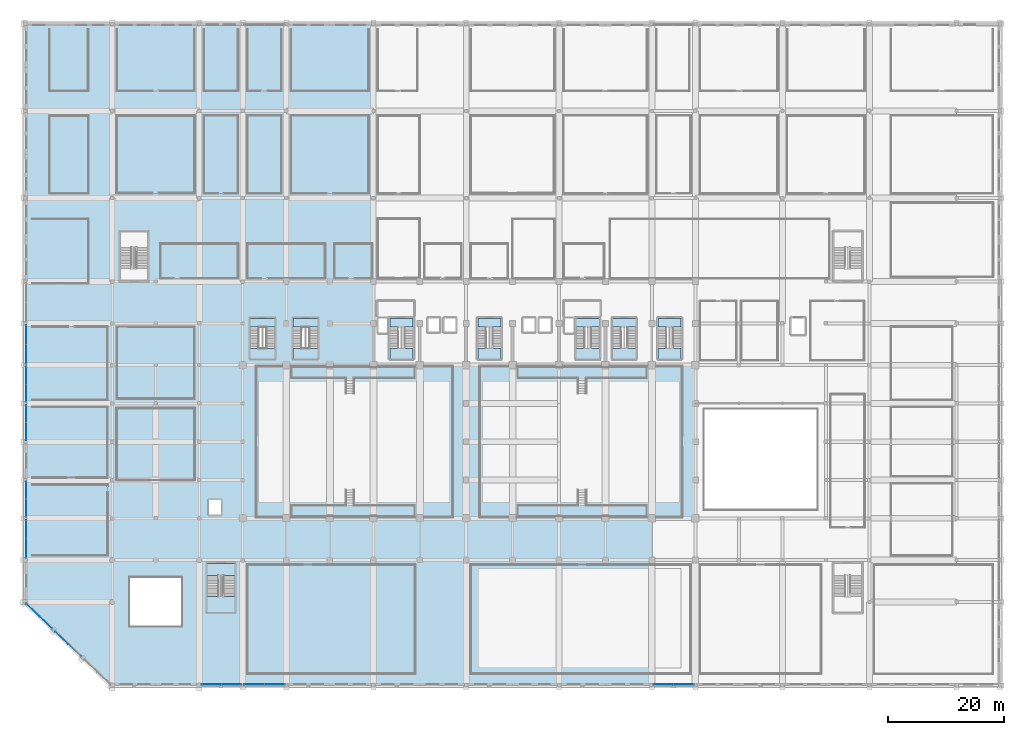
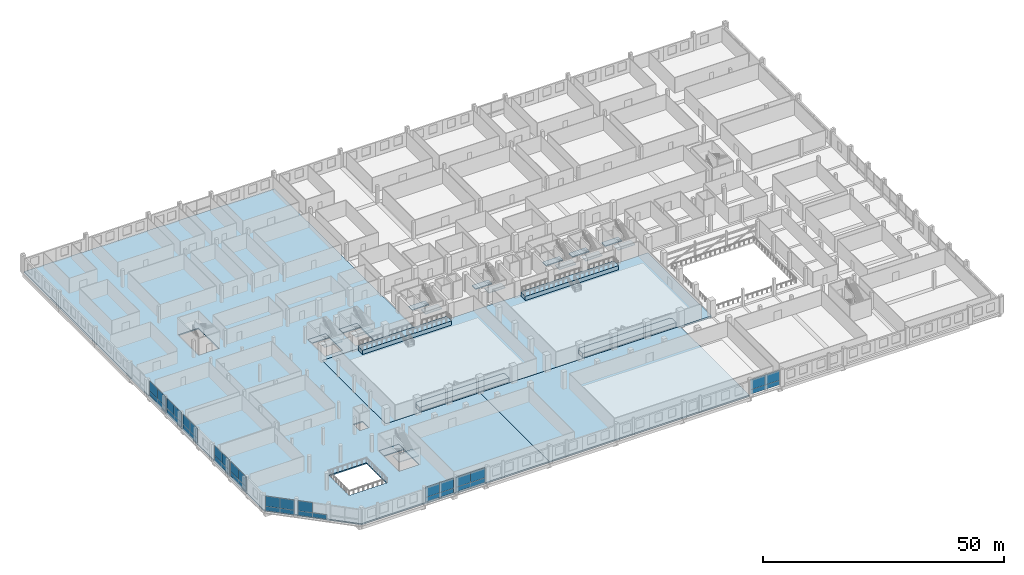
# One storey, part 39 of 68: 29 plates, 23 slabs, 18 elements without a shape of their own.
"""IFC4 building model written with IfcOpenShell, lengths in metres."""

from ifc_helpers import new_model, si_unit, direction, frame, origin, origin_2d, place, context, subcontext, project, spatial, polyline, rectangle, outline, extrude, material, layer, layer_set, type_object, element, aggregate, save


model = new_model("IFC4")

# Units and contexts
model_context = context("Model", 3, precision=1e-05, world=origin(), true_north=direction((0.0, 1.0)))
body_context = subcontext(model_context, "Body", "Model", "MODEL_VIEW")
ifc_project = project(units=[si_unit("LENGTHUNIT", "METRE"), si_unit("AREAUNIT", "SQUARE_METRE"), si_unit("VOLUMEUNIT", "CUBIC_METRE"), si_unit("PLANEANGLEUNIT", "RADIAN"), si_unit("MASSUNIT", "GRAM", prefix="KILO")], contexts=[model_context])

# Site, building, storey
site_placement = place(None, origin())
site = spatial("IfcSite", under=ifc_project, at=site_placement, CompositionType="ELEMENT")
building_placement = place(site_placement, origin())
building = spatial("IfcBuilding", under=site, at=building_placement, Name="Akrevak Sports Hall", CompositionType="ELEMENT")
storey_placement = place(building_placement, frame((0.0, 0.0, 9.39990234375)))
storey = spatial("IfcBuildingStorey", under=building, at=storey_placement, Name="L02", CompositionType="ELEMENT", Elevation=9.39990234375)

# Curtain wall, plate
ifc_material_1 = material(Name="Anodized Bronze Aluminium & Low-E Glass", Category="aluminium")
curtain_wall_type_1 = type_object("IfcCurtainWallType", Name="ARC-CW-POD-64x44", PredefinedType="NOTDEFINED", material=ifc_material_1)
curtain_wall_1_placement = place(storey_placement, origin())
curtain_wall_1 = element("IfcCurtainWall", 1, at=curtain_wall_1_placement, inside=storey, type_object=curtain_wall_type_1, Name="Curtain Wall CW-L02-CH2", PredefinedType="NOTDEFINED")
ifc_material_2 = material(Name="Double Low-E Tempered Glass", Category="glass")
ifc_layer_1 = layer(ifc_material_2, 0.035888671875, Name="Double Low-E Tempered Glass")
ifc_layer_set_1 = layer_set([ifc_layer_1], Name="Double Low-E Tempered Glass")
plate_type_1 = type_object("IfcPlateType", Name="ARC-CWP-GLZ-36", PredefinedType="CURTAIN_PANEL", material=ifc_layer_set_1)
plate_1_placement = place(storey_placement, frame((6.304931640625, 8.180908203125, 1.14990234375), z_axis=(0.0, 0.0, 1.0), x_axis=(-0.721397723859, 0.692520991747, 0.0)))
plate_1 = element("IfcPlate", 2, at=plate_1_placement, type_object=plate_type_1, Name="Vision Glass Panel CW-L02-CH2-G2", PredefinedType="CURTAIN_PANEL", context=body_context, shape_type="SweptSolid", body=[
    extrude(rectangle(XDim=3.0830078125, YDim=0.035888671875, at=origin_2d()), origin(), (0.0, 0.0, 1.0), 2.590087890625),
])

# Curtain wall, plates
curtain_wall_2_placement = place(storey_placement, origin())
curtain_wall_2 = element("IfcCurtainWall", 3, at=curtain_wall_2_placement, inside=storey, type_object=curtain_wall_type_1, Name="Curtain Wall CW-L02-CH3", PredefinedType="NOTDEFINED")
plate_2_placement = place(storey_placement, frame((3.529052734375, 10.845947265625, 1.14990234375), z_axis=(0.0, 0.0, 1.0), x_axis=(-0.721397723859, 0.692520991747, 0.0)))
plate_2 = element("IfcPlate", 4, at=plate_2_placement, type_object=plate_type_1, Name="Vision Glass Panel CW-L02-CH3-G1", PredefinedType="CURTAIN_PANEL", context=body_context, shape_type="SweptSolid", body=[
    extrude(rectangle(XDim=3.0830078125, YDim=0.035888671875, at=origin_2d()), origin(), (0.0, 0.0, 1.0), 2.590087890625),
])
plate_3_placement = place(storey_placement, frame((1.304931640625, 12.98095703125, 1.14990234375), z_axis=(0.0, 0.0, 1.0), x_axis=(-0.721397723859, 0.692520991747, 0.0)))
plate_3 = element("IfcPlate", 5, at=plate_3_placement, type_object=plate_type_1, Name="Vision Glass Panel CW-L02-CH3-G2", PredefinedType="CURTAIN_PANEL", context=body_context, shape_type="SweptSolid", body=[
    extrude(rectangle(XDim=3.0830078125, YDim=0.035888671875, at=origin_2d()), origin(), (0.0, 0.0, 1.0), 2.590087890625),
])

curtain_wall_type_2 = type_object("IfcCurtainWallType", Name="ARC-CW-POD-70x42", PredefinedType="NOTDEFINED", material=ifc_material_1)
curtain_wall_3_placement = place(storey_placement, origin())
curtain_wall_3 = element("IfcCurtainWall", 6, at=curtain_wall_3_placement, inside=storey, type_object=curtain_wall_type_2, Name="Curtain Wall CW-L02-S03", PredefinedType="NOTDEFINED")
plate_4_placement = place(storey_placement, frame((32.143798828125, 0.179931640625, 1.14990234375), z_axis=(0.0, 0.0, 1.0), x_axis=(1.0, 0.0, 0.0)))
plate_4 = element("IfcPlate", 7, at=plate_4_placement, type_object=plate_type_1, Name="Vision Glass Panel CW-L02-S03-G1", PredefinedType="CURTAIN_PANEL", context=body_context, shape_type="SweptSolid", body=[
    extrude(rectangle(XDim=3.387451171875, YDim=0.035888671875, at=origin_2d()), origin(), (0.0, 0.0, 1.0), 2.590087890625),
])
plate_5_placement = place(storey_placement, frame((35.53125, 0.179931640625, 1.14990234375), z_axis=(0.0, 0.0, 1.0), x_axis=(1.0, 0.0, 0.0)))
plate_5 = element("IfcPlate", 8, at=plate_5_placement, type_object=plate_type_1, Name="Vision Glass Panel CW-L02-S03-G2", PredefinedType="CURTAIN_PANEL", context=body_context, shape_type="SweptSolid", body=[
    extrude(rectangle(XDim=3.387451171875, YDim=0.035888671875, at=origin_2d()), origin(), (0.0, 0.0, 1.0), 2.590087890625),
])

curtain_wall_4_placement = place(storey_placement, origin())
curtain_wall_4 = element("IfcCurtainWall", 9, at=curtain_wall_4_placement, inside=storey, type_object=curtain_wall_type_2, Name="Curtain Wall CW-L02-S04", PredefinedType="NOTDEFINED")
plate_6_placement = place(storey_placement, frame((39.512451171875, 0.179931640625, 1.14990234375), z_axis=(0.0, 0.0, 1.0), x_axis=(1.0, 0.0, 0.0)))
plate_6 = element("IfcPlate", 10, at=plate_6_placement, type_object=plate_type_1, Name="Vision Glass Panel CW-L02-S04-G1", PredefinedType="CURTAIN_PANEL", context=body_context, shape_type="SweptSolid", body=[
    extrude(rectangle(XDim=3.47509765625, YDim=0.035888671875, at=origin_2d()), origin(), (0.0, 0.0, 1.0), 2.590087890625),
])
plate_7_placement = place(storey_placement, frame((42.987548828125, 0.179931640625, 1.14990234375), z_axis=(0.0, 0.0, 1.0), x_axis=(1.0, 0.0, 0.0)))
plate_7 = element("IfcPlate", 11, at=plate_7_placement, type_object=plate_type_1, Name="Vision Glass Panel CW-L02-S04-G2", PredefinedType="CURTAIN_PANEL", context=body_context, shape_type="SweptSolid", body=[
    extrude(rectangle(XDim=3.47509765625, YDim=0.035888671875, at=origin_2d()), origin(), (0.0, 0.0, 1.0), 2.590087890625),
])

curtain_wall_5_placement = place(storey_placement, origin())
curtain_wall_5 = element("IfcCurtainWall", 12, at=curtain_wall_5_placement, inside=storey, type_object=curtain_wall_type_2, Name="Curtain Wall CW-L02-S13", PredefinedType="NOTDEFINED")
plate_8_placement = place(storey_placement, frame((110.03125, 0.179931640625, 1.14990234375), z_axis=(0.0, 0.0, 1.0), x_axis=(1.0, 0.0, 0.0)))
plate_8 = element("IfcPlate", 13, at=plate_8_placement, type_object=plate_type_1, Name="Vision Glass Panel CW-L02-S13-G1", PredefinedType="CURTAIN_PANEL", context=body_context, shape_type="SweptSolid", body=[
    extrude(rectangle(XDim=3.46240234375, YDim=0.035888671875, at=origin_2d()), origin(), (0.0, 0.0, 1.0), 2.590087890625),
])
plate_9_placement = place(storey_placement, frame((113.49365234375, 0.179931640625, 1.14990234375), z_axis=(0.0, 0.0, 1.0), x_axis=(1.0, 0.0, 0.0)))
plate_9 = element("IfcPlate", 14, at=plate_9_placement, type_object=plate_type_1, Name="Vision Glass Panel CW-L02-S13-G2", PredefinedType="CURTAIN_PANEL", context=body_context, shape_type="SweptSolid", body=[
    extrude(rectangle(XDim=3.46240234375, YDim=0.035888671875, at=origin_2d()), origin(), (0.0, 0.0, 1.0), 2.590087890625),
])

curtain_wall_type_3 = type_object("IfcCurtainWallType", Name="ARC-CW-POD-64x42", PredefinedType="NOTDEFINED", material=ifc_material_1)
curtain_wall_6_placement = place(storey_placement, origin())
curtain_wall_6 = element("IfcCurtainWall", 15, at=curtain_wall_6_placement, inside=storey, type_object=curtain_wall_type_3, Name="Curtain Wall CW-L02-W02", PredefinedType="NOTDEFINED")
plate_10_placement = place(storey_placement, frame((0.179931640625, 26.887451171875, 1.14990234375), z_axis=(0.0, 0.0, 1.0), x_axis=(0.0, -1.0, 0.0)))
plate_10 = element("IfcPlate", 16, at=plate_10_placement, type_object=plate_type_1, Name="Vision Glass Panel CW-L02-W02-G1", PredefinedType="CURTAIN_PANEL", context=body_context, shape_type="SweptSolid", body=[
    extrude(rectangle(XDim=3.22509765625, YDim=0.035888671875, at=origin_2d()), origin(), (0.0, 0.0, 1.0), 2.590087890625),
])
plate_11_placement = place(storey_placement, frame((0.179931640625, 23.66259765625, 1.14990234375), z_axis=(0.0, 0.0, 1.0), x_axis=(0.0, -1.0, 0.0)))
plate_11 = element("IfcPlate", 17, at=plate_11_placement, type_object=plate_type_1, Name="Vision Glass Panel CW-L02-W02-G2", PredefinedType="CURTAIN_PANEL", context=body_context, shape_type="SweptSolid", body=[
    extrude(rectangle(XDim=3.22509765625, YDim=0.035888671875, at=origin_2d()), origin(), (0.0, 0.0, 1.0), 2.590087890625),
])

curtain_wall_7_placement = place(storey_placement, origin())
curtain_wall_7 = element("IfcCurtainWall", 18, at=curtain_wall_7_placement, inside=storey, type_object=curtain_wall_type_3, Name="Curtain Wall CW-L02-W03", PredefinedType="NOTDEFINED")
plate_12_placement = place(storey_placement, frame((0.179931640625, 33.61865234375, 1.14990234375), z_axis=(0.0, 0.0, 1.0), x_axis=(0.0, -1.0, 0.0)))
plate_12 = element("IfcPlate", 19, at=plate_12_placement, type_object=plate_type_1, Name="Vision Glass Panel CW-L02-W03-G1", PredefinedType="CURTAIN_PANEL", context=body_context, shape_type="SweptSolid", body=[
    extrude(rectangle(XDim=3.012451171875, YDim=0.035888671875, at=origin_2d()), origin(), (0.0, 0.0, 1.0), 2.590087890625),
])
plate_13_placement = place(storey_placement, frame((0.179931640625, 30.606201171875, 1.14990234375), z_axis=(0.0, 0.0, 1.0), x_axis=(0.0, -1.0, 0.0)))
plate_13 = element("IfcPlate", 20, at=plate_13_placement, type_object=plate_type_1, Name="Vision Glass Panel CW-L02-W03-G2", PredefinedType="CURTAIN_PANEL", context=body_context, shape_type="SweptSolid", body=[
    extrude(rectangle(XDim=3.012451171875, YDim=0.035888671875, at=origin_2d()), origin(), (0.0, 0.0, 1.0), 2.590087890625),
])

curtain_wall_8_placement = place(storey_placement, origin())
curtain_wall_8 = element("IfcCurtainWall", 21, at=curtain_wall_8_placement, inside=storey, type_object=curtain_wall_type_3, Name="Curtain Wall CW-L02-W05", PredefinedType="NOTDEFINED")
plate_14_placement = place(storey_placement, frame((0.179931640625, 46.800048828125, 1.14990234375), z_axis=(0.0, 0.0, 1.0), x_axis=(0.0, -1.0, 0.0)))
plate_14 = element("IfcPlate", 22, at=plate_14_placement, type_object=plate_type_1, Name="Vision Glass Panel CW-L02-W05-G1", PredefinedType="CURTAIN_PANEL", context=body_context, shape_type="SweptSolid", body=[
    extrude(rectangle(XDim=3.0, YDim=0.035888671875, at=origin_2d()), origin(), (0.0, 0.0, 1.0), 2.590087890625),
])
plate_15_placement = place(storey_placement, frame((0.179931640625, 43.800048828125, 1.14990234375), z_axis=(0.0, 0.0, 1.0), x_axis=(0.0, -1.0, 0.0)))
plate_15 = element("IfcPlate", 23, at=plate_15_placement, type_object=plate_type_1, Name="Vision Glass Panel CW-L02-W05-G2", PredefinedType="CURTAIN_PANEL", context=body_context, shape_type="SweptSolid", body=[
    extrude(rectangle(XDim=3.0, YDim=0.035888671875, at=origin_2d()), origin(), (0.0, 0.0, 1.0), 2.590087890625),
])

curtain_wall_9_placement = place(storey_placement, origin())
curtain_wall_9 = element("IfcCurtainWall", 24, at=curtain_wall_9_placement, inside=storey, type_object=curtain_wall_type_3, Name="Curtain Wall CW-L02-W06", PredefinedType="NOTDEFINED")
plate_16_placement = place(storey_placement, frame((0.179931640625, 53.418701171875, 1.14990234375), z_axis=(0.0, 0.0, 1.0), x_axis=(0.0, -1.0, 0.0)))
plate_16 = element("IfcPlate", 25, at=plate_16_placement, type_object=plate_type_1, Name="Vision Glass Panel CW-L02-W06-G1", PredefinedType="CURTAIN_PANEL", context=body_context, shape_type="SweptSolid", body=[
    extrude(rectangle(XDim=3.012451171875, YDim=0.035888671875, at=origin_2d()), origin(), (0.0, 0.0, 1.0), 2.590087890625),
])
plate_17_placement = place(storey_placement, frame((0.179931640625, 50.40625, 1.14990234375), z_axis=(0.0, 0.0, 1.0), x_axis=(0.0, -1.0, 0.0)))
plate_17 = element("IfcPlate", 26, at=plate_17_placement, type_object=plate_type_1, Name="Vision Glass Panel CW-L02-W06-G2", PredefinedType="CURTAIN_PANEL", context=body_context, shape_type="SweptSolid", body=[
    extrude(rectangle(XDim=3.012451171875, YDim=0.035888671875, at=origin_2d()), origin(), (0.0, 0.0, 1.0), 2.590087890625),
])

curtain_wall_10_placement = place(storey_placement, origin())
curtain_wall_10 = element("IfcCurtainWall", 27, at=curtain_wall_10_placement, inside=storey, type_object=curtain_wall_type_3, Name="Curtain Wall CW-L02-W07", PredefinedType="NOTDEFINED")
plate_18_placement = place(storey_placement, frame((0.179931640625, 60.44384765625, 1.14990234375), z_axis=(0.0, 0.0, 1.0), x_axis=(0.0, -1.0, 0.0)))
plate_18 = element("IfcPlate", 28, at=plate_18_placement, type_object=plate_type_1, Name="Vision Glass Panel CW-L02-W07-G1", PredefinedType="CURTAIN_PANEL", context=body_context, shape_type="SweptSolid", body=[
    extrude(rectangle(XDim=3.3125, YDim=0.035888671875, at=origin_2d()), origin(), (0.0, 0.0, 1.0), 2.590087890625),
])
plate_19_placement = place(storey_placement, frame((0.179931640625, 57.13134765625, 1.14990234375), z_axis=(0.0, 0.0, 1.0), x_axis=(0.0, -1.0, 0.0)))
plate_19 = element("IfcPlate", 29, at=plate_19_placement, type_object=plate_type_1, Name="Vision Glass Panel CW-L02-W07-G2", PredefinedType="CURTAIN_PANEL", context=body_context, shape_type="SweptSolid", body=[
    extrude(rectangle(XDim=3.3125, YDim=0.035888671875, at=origin_2d()), origin(), (0.0, 0.0, 1.0), 2.590087890625),
])

# Plate
ifc_material_3 = material(Name="Insulated Bronze Spandrel Panel", Category="aluminium")
ifc_layer_2 = layer(ifc_material_3, 0.0439453125, Name="Insulated Bronze Spandrel Panel")
ifc_layer_set_2 = layer_set([ifc_layer_2], Name="Insulated Bronze Spandrel Panel")
plate_type_2 = type_object("IfcPlateType", Name="ARC-CWP-SPD-44", PredefinedType="CURTAIN_PANEL", material=ifc_layer_set_2)
plate_20_placement = place(storey_placement, frame((7.4169921875, 7.11328125, 0.000244140625), z_axis=(0.0, 0.0, 1.0), x_axis=(-0.721397723859, 0.692520991747, 0.0)))
plate_20 = element("IfcPlate", 30, at=plate_20_placement, type_object=plate_type_2, Name="Insulated Spandrel Panel CW-L02-CH2-S1", PredefinedType="CURTAIN_PANEL", context=body_context, shape_type="SweptSolid", body=[
    extrude(rectangle(XDim=6.166015625, YDim=0.0439453125, at=origin_2d()), origin(), (0.0, 0.0, 1.0), 1.14990234375),
])

aggregate(curtain_wall_1, [plate_1, plate_20])

plate_21_placement = place(storey_placement, frame((2.4169921875, 11.913330078125, 0.000244140625), z_axis=(0.0, 0.0, 1.0), x_axis=(-0.721397723859, 0.692520991747, 0.0)))
plate_21 = element("IfcPlate", 31, at=plate_21_placement, type_object=plate_type_2, Name="Insulated Spandrel Panel CW-L02-CH3-S1", PredefinedType="CURTAIN_PANEL", context=body_context, shape_type="SweptSolid", body=[
    extrude(rectangle(XDim=6.166015625, YDim=0.0439453125, at=origin_2d()), origin(), (0.0, 0.0, 1.0), 1.14990234375),
])

aggregate(curtain_wall_2, [plate_2, plate_3, plate_21])

plate_22_placement = place(storey_placement, frame((33.83740234375, 0.179931640625, 0.000244140625), z_axis=(0.0, 0.0, 1.0), x_axis=(1.0, 0.0, 0.0)))
plate_22 = element("IfcPlate", 32, at=plate_22_placement, type_object=plate_type_2, Name="Insulated Spandrel Panel CW-L02-S03-S1", PredefinedType="CURTAIN_PANEL", context=body_context, shape_type="SweptSolid", body=[
    extrude(rectangle(XDim=6.77490234375, YDim=0.0439453125, at=origin_2d()), origin(), (0.0, 0.0, 1.0), 1.14990234375),
])

aggregate(curtain_wall_3, [plate_4, plate_5, plate_22])

plate_23_placement = place(storey_placement, frame((41.25, 0.179931640625, 0.000244140625), z_axis=(0.0, 0.0, 1.0), x_axis=(1.0, 0.0, 0.0)))
plate_23 = element("IfcPlate", 33, at=plate_23_placement, type_object=plate_type_2, Name="Insulated Spandrel Panel CW-L02-S04-S1", PredefinedType="CURTAIN_PANEL", context=body_context, shape_type="SweptSolid", body=[
    extrude(rectangle(XDim=6.949951171875, YDim=0.0439453125, at=origin_2d()), origin(), (0.0, 0.0, 1.0), 1.14990234375),
])

aggregate(curtain_wall_4, [plate_6, plate_7, plate_23])

plate_24_placement = place(storey_placement, frame((111.762451171875, 0.179931640625, 0.000244140625), z_axis=(0.0, 0.0, 1.0), x_axis=(1.0, 0.0, 0.0)))
plate_24 = element("IfcPlate", 34, at=plate_24_placement, type_object=plate_type_2, Name="Insulated Spandrel Panel CW-L02-S13-S1", PredefinedType="CURTAIN_PANEL", context=body_context, shape_type="SweptSolid", body=[
    extrude(rectangle(XDim=6.925048828125, YDim=0.0439453125, at=origin_2d()), origin(), (0.0, 0.0, 1.0), 1.14990234375),
])

aggregate(curtain_wall_5, [plate_8, plate_9, plate_24])

plate_25_placement = place(storey_placement, frame((0.179931640625, 25.27490234375, 0.000244140625), z_axis=(0.0, 0.0, 1.0), x_axis=(0.0, -1.0, 0.0)))
plate_25 = element("IfcPlate", 35, at=plate_25_placement, type_object=plate_type_2, Name="Insulated Spandrel Panel CW-L02-W02-S1", PredefinedType="CURTAIN_PANEL", context=body_context, shape_type="SweptSolid", body=[
    extrude(rectangle(XDim=6.449951171875, YDim=0.0439453125, at=origin_2d()), origin(), (0.0, 0.0, 1.0), 1.14990234375),
])

aggregate(curtain_wall_6, [plate_10, plate_11, plate_25])

plate_26_placement = place(storey_placement, frame((0.179931640625, 32.112548828125, 0.000244140625), z_axis=(0.0, 0.0, 1.0), x_axis=(0.0, -1.0, 0.0)))
plate_26 = element("IfcPlate", 36, at=plate_26_placement, type_object=plate_type_2, Name="Insulated Spandrel Panel CW-L02-W03-S1", PredefinedType="CURTAIN_PANEL", context=body_context, shape_type="SweptSolid", body=[
    extrude(rectangle(XDim=6.02490234375, YDim=0.0439453125, at=origin_2d()), origin(), (0.0, 0.0, 1.0), 1.14990234375),
])

aggregate(curtain_wall_7, [plate_12, plate_13, plate_26])

plate_27_placement = place(storey_placement, frame((0.179931640625, 45.300048828125, 0.000244140625), z_axis=(0.0, 0.0, 1.0), x_axis=(0.0, -1.0, 0.0)))
plate_27 = element("IfcPlate", 37, at=plate_27_placement, type_object=plate_type_2, Name="Insulated Spandrel Panel CW-L02-W05-S1", PredefinedType="CURTAIN_PANEL", context=body_context, shape_type="SweptSolid", body=[
    extrude(rectangle(XDim=6.0, YDim=0.0439453125, at=origin_2d()), origin(), (0.0, 0.0, 1.0), 1.14990234375),
])

aggregate(curtain_wall_8, [plate_14, plate_15, plate_27])

plate_28_placement = place(storey_placement, frame((0.179931640625, 51.91259765625, 0.000244140625), z_axis=(0.0, 0.0, 1.0), x_axis=(0.0, -1.0, 0.0)))
plate_28 = element("IfcPlate", 38, at=plate_28_placement, type_object=plate_type_2, Name="Insulated Spandrel Panel CW-L02-W06-S1", PredefinedType="CURTAIN_PANEL", context=body_context, shape_type="SweptSolid", body=[
    extrude(rectangle(XDim=6.02490234375, YDim=0.0439453125, at=origin_2d()), origin(), (0.0, 0.0, 1.0), 1.14990234375),
])

aggregate(curtain_wall_9, [plate_16, plate_17, plate_28])

plate_29_placement = place(storey_placement, frame((0.179931640625, 58.78759765625, 0.000244140625), z_axis=(0.0, 0.0, 1.0), x_axis=(0.0, -1.0, 0.0)))
plate_29 = element("IfcPlate", 39, at=plate_29_placement, type_object=plate_type_2, Name="Insulated Spandrel Panel CW-L02-W07-S1", PredefinedType="CURTAIN_PANEL", context=body_context, shape_type="SweptSolid", body=[
    extrude(rectangle(XDim=6.625, YDim=0.0439453125, at=origin_2d()), origin(), (0.0, 0.0, 1.0), 1.14990234375),
])

aggregate(curtain_wall_10, [plate_18, plate_19, plate_29])

# Slabs
ifc_material_4 = material(Name="Concrete C50/60", Category="concrete")
ifc_layer_3 = layer(ifc_material_4, 0.449951171875, Name="Concrete C50/60")
ifc_layer_set_3 = layer_set([ifc_layer_3], Name="Concrete C50/60")
slab_type_1 = type_object("IfcSlabType", Name="PT-Transfer-Slab-450", PredefinedType="FLOOR", material=ifc_layer_set_3)
slab_1_placement = place(storey_placement, frame((0.0, 0.0, -0.449951171875)))
element("IfcSlab", 40, at=slab_1_placement, inside=storey, type_object=slab_type_1, Name="Post-Tensioned Transfer Slab L02 Over Handball Court", PredefinedType="FLOOR", context=body_context, shape_type="SweptSolid", body=[
    extrude(outline(polyline([(115.5, 28.800048828125), (115.5, 55.199951171875), (37.5, 55.199951171875), (37.5, 28.800048828125), (115.5, 28.800048828125)])), origin(), (0.0, 0.0, 1.0), 0.449951171875),
])
ifc_material_5 = material(Name="Concrete C40/50", Category="concrete")
ifc_layer_4 = layer(ifc_material_5, 0.320068359375, Name="Concrete C40/50")
ifc_layer_set_4 = layer_set([ifc_layer_4], Name="Concrete C40/50")
slab_type_2 = type_object("IfcSlabType", Name="STR-SLB-FLR-320", PredefinedType="FLOOR", material=ifc_layer_set_4)
slab_2_placement = place(storey_placement, frame((0.0, 0.0, -0.31982421875)))
element("IfcSlab", 41, at=slab_2_placement, inside=storey, type_object=slab_type_2, Name="Podium Floor Slab L02 Sector 1.1", PredefinedType="FLOOR", context=body_context, shape_type="SweptSolid", body=[
    extrude(outline(polyline([(0.0, 114.0), (0.0, 14.39990234375), (15.0, 0.0), (60.0, 0.0), (60.0, 28.800048828125), (37.5, 28.800048828125), (37.5, 55.199951171875), (60.0, 55.199951171875), (60.0, 114.0), (0.0, 114.0)]), holes=[polyline([(27.0, 18.60009765625), (27.0, 10.199951171875), (18.0, 10.199951171875), (18.0, 18.60009765625), (27.0, 18.60009765625)]), polyline([(36.14990234375, 21.050048828125), (36.14990234375, 12.60009765625), (31.35009765625, 12.60009765625), (31.35009765625, 21.050048828125), (36.14990234375, 21.050048828125)]), polyline([(33.780029296875, 31.97998046875), (33.780029296875, 29.419921875), (31.6201171875, 29.419921875), (31.6201171875, 31.97998046875), (33.780029296875, 31.97998046875)]), polyline([(43.050048828125, 56.300048828125), (38.75, 56.300048828125), (38.75, 63.25), (43.050048828125, 63.25), (43.050048828125, 56.300048828125)]), polyline([(50.449951171875, 56.300048828125), (46.14990234375, 56.300048828125), (46.14990234375, 63.25), (50.449951171875, 63.25), (50.449951171875, 56.300048828125)]), polyline([(21.14990234375, 78.199951171875), (21.14990234375, 69.75), (16.35009765625, 69.75), (16.35009765625, 78.199951171875), (21.14990234375, 78.199951171875)])]), origin(), (0.0, 0.0, 1.0), 0.31982421875),
])
slab_3_placement = place(storey_placement, frame((0.0, 0.0, -0.31982421875)))
element("IfcSlab", 42, at=slab_3_placement, inside=storey, type_object=slab_type_2, Name="Podium Floor Slab L02 Sector 2.2", PredefinedType="FLOOR", context=body_context, shape_type="SweptSolid", body=[
    extrude(outline(polyline([(108.0, 0.0), (108.0, 28.800048828125), (60.0, 28.800048828125), (60.0, 0.0), (108.0, 0.0)])), origin(), (0.0, 0.0, 1.0), 0.31982421875),
])

# Stair, slab
stair_type_1 = type_object("IfcStairType", Name="ARC-STR-DOG-460", PredefinedType="HALF_TURN_STAIR", material=ifc_material_5)
stair_1_placement = place(storey_placement, origin())
stair_1 = element("IfcStair", 43, at=stair_1_placement, inside=storey, type_object=stair_type_1, Name="Protected Exit Stair ST1 (L02 to L03)", PredefinedType="HALF_TURN_STAIR")
ifc_layer_5 = layer(ifc_material_5, 0.199951171875, Name="Concrete C40/50")
ifc_layer_set_5 = layer_set([ifc_layer_5], Name="Concrete C40/50")
slab_type_3 = type_object("IfcSlabType", Name="STR-SLB-LAND-200", PredefinedType="LANDING", material=ifc_layer_set_5)
slab_4_placement = place(storey_placement, frame((0.0, 0.0, 2.10009765625)))
slab_4 = element("IfcSlab", 44, at=slab_4_placement, type_object=slab_type_3, Name="Stair ST1 Half-Landing 1 (L02)", PredefinedType="LANDING", context=body_context, shape_type="SweptSolid", body=[
    extrude(outline(polyline([(62.85009765625, 56.300048828125), (66.85009765625, 56.300048828125), (66.85009765625, 58.094970703125), (62.85009765625, 58.094970703125), (62.85009765625, 56.300048828125)])), origin(), (0.0, 0.0, 1.0), 0.199951171875),
])
aggregate(stair_1, [slab_4])

stair_2_placement = place(storey_placement, origin())
stair_2 = element("IfcStair", 45, at=stair_2_placement, inside=storey, type_object=stair_type_1, Name="Protected Exit Stair ST2 (L02 to L03)", PredefinedType="HALF_TURN_STAIR")
slab_5_placement = place(storey_placement, frame((0.0, 0.0, 2.10009765625)))
slab_5 = element("IfcSlab", 46, at=slab_5_placement, type_object=slab_type_3, Name="Stair ST2 Half-Landing 1 (L02)", PredefinedType="LANDING", context=body_context, shape_type="SweptSolid", body=[
    extrude(outline(polyline([(94.949951171875, 56.300048828125), (98.949951171875, 56.300048828125), (98.949951171875, 58.094970703125), (94.949951171875, 58.094970703125), (94.949951171875, 56.300048828125)])), origin(), (0.0, 0.0, 1.0), 0.199951171875),
])
aggregate(stair_2, [slab_5])

stair_3_placement = place(storey_placement, origin())
stair_3 = element("IfcStair", 47, at=stair_3_placement, inside=storey, type_object=stair_type_1, Name="Protected Exit Stair ST3 (L02 to L03)", PredefinedType="HALF_TURN_STAIR")
slab_6_placement = place(storey_placement, frame((0.0, 0.0, 2.10009765625)))
slab_6 = element("IfcSlab", 48, at=slab_6_placement, type_object=slab_type_3, Name="Stair ST3 Half-Landing 1 (L02)", PredefinedType="LANDING", context=body_context, shape_type="SweptSolid", body=[
    extrude(outline(polyline([(78.0, 56.300048828125), (82.0, 56.300048828125), (82.0, 58.094970703125), (78.0, 58.094970703125), (78.0, 56.300048828125)])), origin(), (0.0, 0.0, 1.0), 0.199951171875),
])
aggregate(stair_3, [slab_6])

stair_type_2 = type_object("IfcStairType", Name="ARC-STR-MDOG-460", PredefinedType="HALF_TURN_STAIR", material=ifc_material_5)
stair_4_placement = place(storey_placement, origin())
stair_4 = element("IfcStair", 49, at=stair_4_placement, inside=storey, type_object=stair_type_2, Name="Protected Exit Stair ST4 (L02 to L03)", PredefinedType="HALF_TURN_STAIR")
slab_7_placement = place(storey_placement, frame((0.0, 0.0, 2.10009765625)))
slab_7 = element("IfcSlab", 50, at=slab_7_placement, type_object=slab_type_3, Name="Stair ST4 Half-Landing 1 (L02)", PredefinedType="LANDING", context=body_context, shape_type="SweptSolid", body=[
    extrude(outline(polyline([(46.14990234375, 56.300048828125), (50.449951171875, 56.300048828125), (50.449951171875, 58.094970703125), (46.14990234375, 58.094970703125), (46.14990234375, 56.300048828125)])), origin(), (0.0, 0.0, 1.0), 0.199951171875),
])
aggregate(stair_4, [slab_7])

stair_type_3 = type_object("IfcStairType", Name="ARC-STR-PDOG-460", PredefinedType="HALF_TURN_STAIR", material=ifc_material_5)
stair_5_placement = place(storey_placement, origin())
stair_5 = element("IfcStair", 51, at=stair_5_placement, inside=storey, type_object=stair_type_3, Name="Podium SW Exit Stair ST5 (L02 to L03)", PredefinedType="HALF_TURN_STAIR")
slab_8_placement = place(storey_placement, frame((0.0, 0.0, 2.10009765625)))
slab_8 = element("IfcSlab", 52, at=slab_8_placement, type_object=slab_type_3, Name="Stair ST5 Half-Landing 1 (L02)", PredefinedType="LANDING", context=body_context, shape_type="SweptSolid", body=[
    extrude(outline(polyline([(31.35009765625, 12.60009765625), (36.14990234375, 12.60009765625), (36.14990234375, 15.31005859375), (31.35009765625, 15.31005859375), (31.35009765625, 12.60009765625)])), origin(), (0.0, 0.0, 1.0), 0.199951171875),
])
aggregate(stair_5, [slab_8])

stair_6_placement = place(storey_placement, origin())
stair_6 = element("IfcStair", 53, at=stair_6_placement, inside=storey, type_object=stair_type_2, Name="Transfer West Exit Stair ST9 (L02 to L03)", PredefinedType="HALF_TURN_STAIR")
slab_9_placement = place(storey_placement, frame((0.0, 0.0, 2.10009765625)))
slab_9 = element("IfcSlab", 54, at=slab_9_placement, type_object=slab_type_3, Name="Stair ST9 Half-Landing 1 (L02)", PredefinedType="LANDING", context=body_context, shape_type="SweptSolid", body=[
    extrude(outline(polyline([(38.75, 56.300048828125), (43.050048828125, 56.300048828125), (43.050048828125, 58.094970703125), (38.75, 58.094970703125), (38.75, 56.300048828125)])), origin(), (0.0, 0.0, 1.0), 0.199951171875),
])
aggregate(stair_6, [slab_9])

stair_7_placement = place(storey_placement, origin())
stair_7 = element("IfcStair", 55, at=stair_7_placement, inside=storey, type_object=stair_type_1, Name="East Wing Exit Stair ST10 (L02 to L03)", PredefinedType="HALF_TURN_STAIR")
slab_10_placement = place(storey_placement, frame((0.0, 0.0, 2.10009765625)))
slab_10 = element("IfcSlab", 56, at=slab_10_placement, type_object=slab_type_3, Name="Stair ST10 Half-Landing 1 (L02)", PredefinedType="LANDING", context=body_context, shape_type="SweptSolid", body=[
    extrude(outline(polyline([(101.25, 56.300048828125), (105.25, 56.300048828125), (105.25, 58.094970703125), (101.25, 58.094970703125), (101.25, 56.300048828125)])), origin(), (0.0, 0.0, 1.0), 0.199951171875),
])
aggregate(stair_7, [slab_10])

stair_8_placement = place(storey_placement, origin())
stair_8 = element("IfcStair", 57, at=stair_8_placement, inside=storey, type_object=stair_type_1, Name="East Transfer Exit Stair ST11 (L02 to L03)", PredefinedType="HALF_TURN_STAIR")
slab_11_placement = place(storey_placement, frame((0.0, 0.0, 2.10009765625)))
slab_11 = element("IfcSlab", 58, at=slab_11_placement, type_object=slab_type_3, Name="Stair ST11 Half-Landing 1 (L02)", PredefinedType="LANDING", context=body_context, shape_type="SweptSolid", body=[
    extrude(outline(polyline([(109.050048828125, 56.300048828125), (113.050048828125, 56.300048828125), (113.050048828125, 58.094970703125), (109.050048828125, 58.094970703125), (109.050048828125, 56.300048828125)])), origin(), (0.0, 0.0, 1.0), 0.199951171875),
])
aggregate(stair_8, [slab_11])

# Slabs
ifc_layer_6 = layer(ifc_material_5, 0.219970703125, Name="Concrete C40/50")
ifc_layer_set_6 = layer_set([ifc_layer_6], Name="Concrete C40/50")
slab_type_4 = type_object("IfcSlabType", Name="STR-SLB-LAND-220", PredefinedType="LANDING", material=ifc_layer_set_6)
slab_12_placement = place(storey_placement, frame((0.0, 0.0, -0.219970703125)))
element("IfcSlab", 59, at=slab_12_placement, inside=storey, type_object=slab_type_4, Name="Stair ST1 Floor Landing (L02)", PredefinedType="LANDING", context=body_context, shape_type="SweptSolid", body=[
    extrude(outline(polyline([(62.85009765625, 61.735107421875), (66.85009765625, 61.735107421875), (66.85009765625, 63.25), (62.85009765625, 63.25), (62.85009765625, 61.735107421875)])), origin(), (0.0, 0.0, 1.0), 0.219970703125),
])
slab_13_placement = place(storey_placement, frame((0.0, 0.0, -0.219970703125)))
element("IfcSlab", 60, at=slab_13_placement, inside=storey, type_object=slab_type_4, Name="Stair ST2 Floor Landing (L02)", PredefinedType="LANDING", context=body_context, shape_type="SweptSolid", body=[
    extrude(outline(polyline([(94.949951171875, 61.735107421875), (98.949951171875, 61.735107421875), (98.949951171875, 63.25), (94.949951171875, 63.25), (94.949951171875, 61.735107421875)])), origin(), (0.0, 0.0, 1.0), 0.219970703125),
])
slab_14_placement = place(storey_placement, frame((0.0, 0.0, -0.219970703125)))
element("IfcSlab", 61, at=slab_14_placement, inside=storey, type_object=slab_type_4, Name="Stair ST3 Floor Landing (L02)", PredefinedType="LANDING", context=body_context, shape_type="SweptSolid", body=[
    extrude(outline(polyline([(78.0, 61.735107421875), (82.0, 61.735107421875), (82.0, 63.25), (78.0, 63.25), (78.0, 61.735107421875)])), origin(), (0.0, 0.0, 1.0), 0.219970703125),
])
slab_15_placement = place(storey_placement, frame((0.0, 0.0, -0.219970703125)))
element("IfcSlab", 62, at=slab_15_placement, inside=storey, type_object=slab_type_4, Name="Stair ST4 Floor Landing (L02)", PredefinedType="LANDING", context=body_context, shape_type="SweptSolid", body=[
    extrude(outline(polyline([(46.14990234375, 61.735107421875), (50.449951171875, 61.735107421875), (50.449951171875, 63.25), (46.14990234375, 63.25), (46.14990234375, 61.735107421875)])), origin(), (0.0, 0.0, 1.0), 0.219970703125),
])
slab_16_placement = place(storey_placement, frame((0.0, 0.0, -0.219970703125)))
element("IfcSlab", 63, at=slab_16_placement, inside=storey, type_object=slab_type_4, Name="Stair ST5 Floor Landing (L02)", PredefinedType="LANDING", context=body_context, shape_type="SweptSolid", body=[
    extrude(outline(polyline([(31.35009765625, 18.949951171875), (36.14990234375, 18.949951171875), (36.14990234375, 21.050048828125), (31.35009765625, 21.050048828125), (31.35009765625, 18.949951171875)])), origin(), (0.0, 0.0, 1.0), 0.219970703125),
])
slab_17_placement = place(storey_placement, frame((0.0, 0.0, -0.219970703125)))
element("IfcSlab", 64, at=slab_17_placement, inside=storey, type_object=slab_type_4, Name="Stair ST9 Floor Landing (L02)", PredefinedType="LANDING", context=body_context, shape_type="SweptSolid", body=[
    extrude(outline(polyline([(38.75, 61.735107421875), (43.050048828125, 61.735107421875), (43.050048828125, 63.25), (38.75, 63.25), (38.75, 61.735107421875)])), origin(), (0.0, 0.0, 1.0), 0.219970703125),
])
slab_18_placement = place(storey_placement, frame((0.0, 0.0, -0.219970703125)))
element("IfcSlab", 65, at=slab_18_placement, inside=storey, type_object=slab_type_4, Name="Stair ST10 Floor Landing (L02)", PredefinedType="LANDING", context=body_context, shape_type="SweptSolid", body=[
    extrude(outline(polyline([(101.25, 61.735107421875), (105.25, 61.735107421875), (105.25, 63.25), (101.25, 63.25), (101.25, 61.735107421875)])), origin(), (0.0, 0.0, 1.0), 0.219970703125),
])
slab_19_placement = place(storey_placement, frame((0.0, 0.0, -0.219970703125)))
element("IfcSlab", 66, at=slab_19_placement, inside=storey, type_object=slab_type_4, Name="Stair ST11 Floor Landing (L02)", PredefinedType="LANDING", context=body_context, shape_type="SweptSolid", body=[
    extrude(outline(polyline([(109.050048828125, 61.735107421875), (113.050048828125, 61.735107421875), (113.050048828125, 63.25), (109.050048828125, 63.25), (109.050048828125, 61.735107421875)])), origin(), (0.0, 0.0, 1.0), 0.219970703125),
])
ifc_layer_7 = layer(ifc_material_5, 0.175048828125, Name="Concrete C40/50")
ifc_layer_set_7 = layer_set([ifc_layer_7], Name="Concrete C40/50")
slab_type_5 = type_object("IfcSlabType", Name="STR-SLB-TIER-175", PredefinedType="USERDEFINED", material=ifc_layer_set_7)
slab_20_placement = place(storey_placement, origin())
element("IfcSlab", 67, at=slab_20_placement, inside=storey, type_object=slab_type_5, Name="Stand Basketball Court South", ObjectType="SEATING TIER", PredefinedType="USERDEFINED", context=body_context, shape_type="SweptSolid", body=[
    extrude(outline(polyline([(45.800048828125, 29.10009765625), (67.199951171875, 29.10009765625), (67.199951171875, 30.75), (66.85009765625, 31.10009765625), (46.14990234375, 31.10009765625), (45.800048828125, 30.75), (45.800048828125, 29.10009765625)])), origin(), (0.0, 0.0, 1.0), 1.050048828125),
])
slab_21_placement = place(storey_placement, origin())
element("IfcSlab", 68, at=slab_21_placement, inside=storey, type_object=slab_type_5, Name="Stand Basketball Court North", ObjectType="SEATING TIER", PredefinedType="USERDEFINED", context=body_context, shape_type="SweptSolid", body=[
    extrude(outline(polyline([(45.800048828125, 52.89990234375), (67.199951171875, 52.89990234375), (67.199951171875, 54.550048828125), (66.85009765625, 54.89990234375), (46.14990234375, 54.89990234375), (45.800048828125, 54.550048828125), (45.800048828125, 52.89990234375)])), origin(), (0.0, 0.0, 1.0), 1.050048828125),
])
slab_22_placement = place(storey_placement, origin())
element("IfcSlab", 69, at=slab_22_placement, inside=storey, type_object=slab_type_5, Name="Stand Volleyball Court South", ObjectType="SEATING TIER", PredefinedType="USERDEFINED", context=body_context, shape_type="SweptSolid", body=[
    extrude(outline(polyline([(84.800048828125, 29.10009765625), (107.199951171875, 29.10009765625), (107.199951171875, 30.75), (106.85009765625, 31.10009765625), (85.14990234375, 31.10009765625), (84.800048828125, 30.75), (84.800048828125, 29.10009765625)])), origin(), (0.0, 0.0, 1.0), 1.050048828125),
])
slab_23_placement = place(storey_placement, origin())
element("IfcSlab", 70, at=slab_23_placement, inside=storey, type_object=slab_type_5, Name="Stand Volleyball Court North", ObjectType="SEATING TIER", PredefinedType="USERDEFINED", context=body_context, shape_type="SweptSolid", body=[
    extrude(outline(polyline([(84.800048828125, 52.89990234375), (107.199951171875, 52.89990234375), (107.199951171875, 54.550048828125), (106.85009765625, 54.89990234375), (85.14990234375, 54.89990234375), (84.800048828125, 54.550048828125), (84.800048828125, 52.89990234375)])), origin(), (0.0, 0.0, 1.0), 1.050048828125),
])

save(model, "model.ifc")
